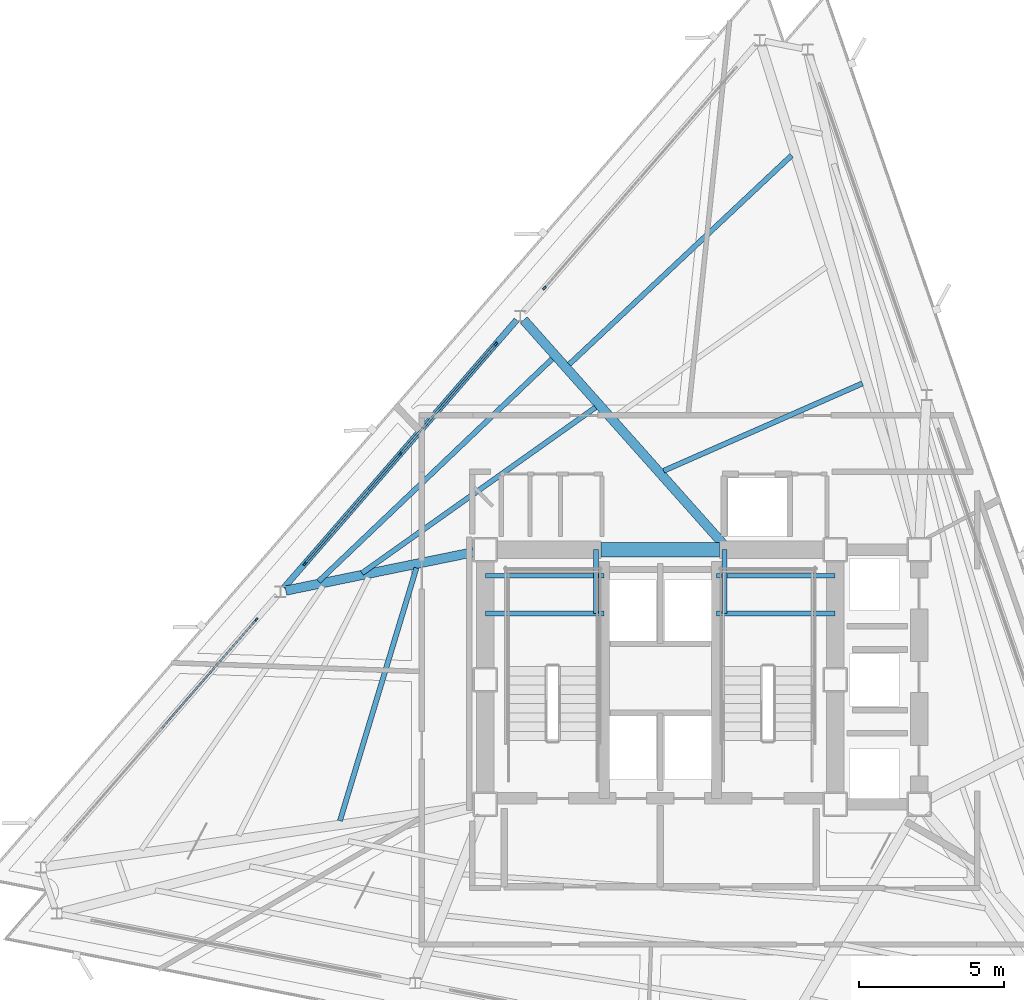
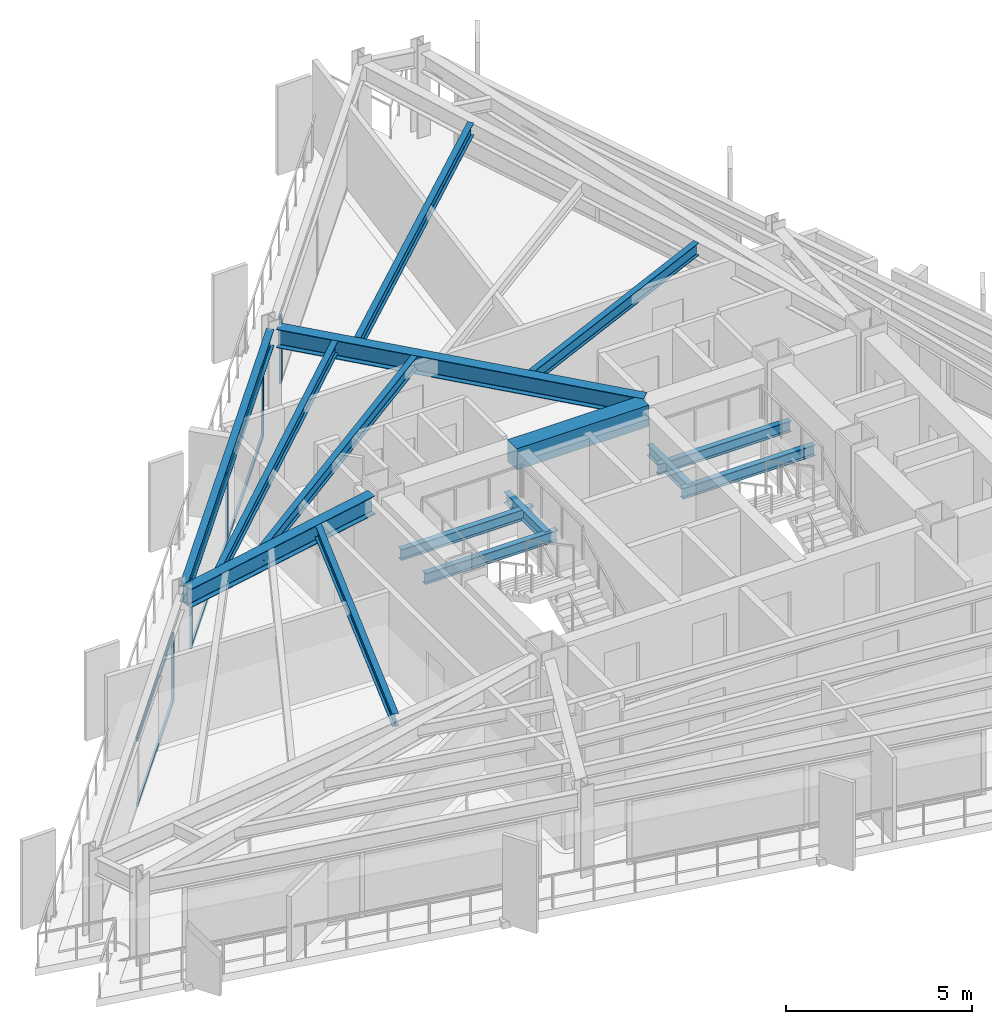
# One storey, part 4 of 13: 15 beams, 11 members, 3 elements without a shape of their own.
"""IFC4 building model written with IfcOpenShell, lengths in metres."""

from ifc_helpers import new_model, si_unit, direction, frame, origin, origin_2d, place, context, subcontext, project, spatial, rectangle, i_section, extrude, material, layer, layer_set, material_profile, profile_set, type_object, element, aggregate, save


model = new_model("IFC4")

# Units and contexts
model_context = context("Model", 3, precision=1e-05, world=origin(), true_north=direction((0.0, 1.0)))
body_context = subcontext(model_context, "Body", "Model", "MODEL_VIEW")
ifc_project = project(units=[si_unit("LENGTHUNIT", "METRE"), si_unit("AREAUNIT", "SQUARE_METRE"), si_unit("VOLUMEUNIT", "CUBIC_METRE"), si_unit("PLANEANGLEUNIT", "RADIAN"), si_unit("MASSUNIT", "GRAM", prefix="KILO")], contexts=[model_context])

# Site, building, storey
site_placement = place(None, origin())
site = spatial("IfcSite", under=ifc_project, at=site_placement, CompositionType="ELEMENT")
building_placement = place(site_placement, origin())
building = spatial("IfcBuilding", under=site, at=building_placement, Name="Rocaltana Carrier Exchange", CompositionType="ELEMENT")
storey_placement = place(building_placement, frame((0.0, 0.0, 162.39990234375)))
storey = spatial("IfcBuildingStorey", under=building, at=storey_placement, Name="L51", CompositionType="ELEMENT", Elevation=162.39990234375)

# Curtain wall, member
ifc_material_1 = material(Name="Aluminium 6063-T6", Category="aluminium")
ifc_layer = layer(ifc_material_1, 0.135009765625)
ifc_layer_set = layer_set([ifc_layer], Name="Aluminium 6063-T6")
curtain_wall_type = type_object("IfcCurtainWallType", Name="Upper-Mid Acoustic Curtain Wall CW-04", PredefinedType="NOTDEFINED", material=ifc_layer_set)
curtain_wall_1_placement = place(storey_placement, origin())
curtain_wall_1 = element("IfcCurtainWall", 1, at=curtain_wall_1_placement, inside=storey, type_object=curtain_wall_type, Name="L51 CW-04 Run CW-L51-F2S1", PredefinedType="NOTDEFINED")
ifc_material_2 = material(Name="Aluminium 6063-T6", Category="aluminium")
ifc_material_profile_1 = material_profile(ifc_material_2, rectangle(XDim=0.06494140625, YDim=0.135009765625, at=origin_2d()), Name="AL-65X135")
ifc_profile_set_1 = profile_set([ifc_material_profile_1], Name="Aluminium 6063-T6")
member_type_1 = type_object("IfcMemberType", Name="CW-04 Mullion AL-65X135", PredefinedType="MULLION", material=ifc_profile_set_1)
member_1_placement = place(storey_placement, frame((-4.005859375, 13.55126953125, 0.0), z_axis=(0.0, 0.0, 1.0), x_axis=(0.75471173919, -0.656056545375, 0.0)))
member_1 = element("IfcMember", 2, at=member_1_placement, type_object=member_type_1, Name="CW-04 mullion 3", PredefinedType="MULLION", context=body_context, shape_type="SweptSolid", body=[
    extrude(rectangle(XDim=0.06494140625, YDim=0.135009765625, at=origin_2d()), origin(), (0.0, 0.0, 1.0), 2.218017578125),
])
aggregate(curtain_wall_1, [member_1])

# Curtain wall, members
curtain_wall_2_placement = place(storey_placement, origin())
curtain_wall_2 = element("IfcCurtainWall", 3, at=curtain_wall_2_placement, inside=storey, type_object=curtain_wall_type, Name="L51 CW-04 Run CW-L51-F2S2", PredefinedType="NOTDEFINED")
member_2_placement = place(storey_placement, frame((-5.688720703125, 11.615478515625, 0.0), z_axis=(0.0, 0.0, 1.0), x_axis=(0.75471173919, -0.656056545375, 0.0)))
member_2 = element("IfcMember", 4, at=member_2_placement, type_object=member_type_1, Name="CW-04 mullion 1", PredefinedType="MULLION", context=body_context, shape_type="SweptSolid", body=[
    extrude(rectangle(XDim=0.06494140625, YDim=0.135009765625, at=origin_2d()), origin(), (0.0, 0.0, 1.0), 2.218017578125),
])
member_3_placement = place(storey_placement, frame((-8.9912109375, 7.816162109375, 0.0), z_axis=(0.0, 0.0, 1.0), x_axis=(0.75471173919, -0.656056545375, 0.0)))
member_3 = element("IfcMember", 5, at=member_3_placement, type_object=member_type_1, Name="CW-04 mullion 2", PredefinedType="MULLION", context=body_context, shape_type="SweptSolid", body=[
    extrude(rectangle(XDim=0.06494140625, YDim=0.135009765625, at=origin_2d()), origin(), (0.0, 0.0, 1.0), 2.218017578125),
])
member_4_placement = place(storey_placement, frame((-12.2939453125, 4.016845703125, 0.0), z_axis=(0.0, 0.0, 1.0), x_axis=(0.75471173919, -0.656056545375, 0.0)))
member_4 = element("IfcMember", 6, at=member_4_placement, type_object=member_type_1, Name="CW-04 mullion 3", PredefinedType="MULLION", context=body_context, shape_type="SweptSolid", body=[
    extrude(rectangle(XDim=0.06494140625, YDim=0.135009765625, at=origin_2d()), origin(), (0.0, 0.0, 1.0), 2.218017578125),
])

# Curtain wall, member
curtain_wall_3_placement = place(storey_placement, origin())
curtain_wall_3 = element("IfcCurtainWall", 7, at=curtain_wall_3_placement, inside=storey, type_object=curtain_wall_type, Name="L51 CW-04 Run CW-L51-F2S3", PredefinedType="NOTDEFINED")
member_5_placement = place(storey_placement, frame((-13.976806640625, 2.080810546875, 0.0), z_axis=(0.0, 0.0, 1.0), x_axis=(0.75471173919, -0.656056545375, 0.0)))
member_5 = element("IfcMember", 8, at=member_5_placement, type_object=member_type_1, Name="CW-04 mullion 1", PredefinedType="MULLION", context=body_context, shape_type="SweptSolid", body=[
    extrude(rectangle(XDim=0.06494140625, YDim=0.135009765625, at=origin_2d()), origin(), (0.0, 0.0, 1.0), 2.218017578125),
])

# Member
ifc_material_3 = material(Name="Aluminium 6063-T6", Category="aluminium")
ifc_material_profile_2 = material_profile(ifc_material_3, rectangle(XDim=0.06494140625, YDim=0.135009765625, at=origin_2d()), Name="AL-65X135")
ifc_profile_set_2 = profile_set([ifc_material_profile_2], Name="Aluminium 6063-T6")
member_type_2 = type_object("IfcMemberType", Name="CW-04 Transom AL-65X135", PredefinedType="USERDEFINED", material=ifc_profile_set_2)
member_6_placement = place(storey_placement, frame((-5.7099609375, 11.5908203125, 0.03271484375), z_axis=(-0.656055850486, -0.754712343243, 0.0), x_axis=(0.754712343243, -0.656055850486, 0.0)))
member_6 = element("IfcMember", 9, at=member_6_placement, type_object=member_type_2, Name="CW-04 transom 1.1", ObjectType="TRANSOM", PredefinedType="USERDEFINED", context=body_context, shape_type="SweptSolid", body=[
    extrude(rectangle(XDim=0.06494140625, YDim=0.135009765625, at=origin_2d()), origin(), (0.0, 0.0, 1.0), 4.968994140625),
])

member_7_placement = place(storey_placement, frame((-5.7099609375, 11.5908203125, 2.185546875), z_axis=(-0.656055850486, -0.754712343243, 0.0), x_axis=(0.754712343243, -0.656055850486, 0.0)))
member_7 = element("IfcMember", 10, at=member_7_placement, type_object=member_type_2, Name="CW-04 transom 1.2", ObjectType="TRANSOM", PredefinedType="USERDEFINED", context=body_context, shape_type="SweptSolid", body=[
    extrude(rectangle(XDim=0.06494140625, YDim=0.135009765625, at=origin_2d()), origin(), (0.0, 0.0, 1.0), 4.968994140625),
])

member_8_placement = place(storey_placement, frame((-9.0126953125, 7.79150390625, 0.03271484375), z_axis=(-0.656055850486, -0.754712343243, 0.0), x_axis=(0.754712343243, -0.656055850486, 0.0)))
member_8 = element("IfcMember", 11, at=member_8_placement, type_object=member_type_2, Name="CW-04 transom 2.1", ObjectType="TRANSOM", PredefinedType="USERDEFINED", context=body_context, shape_type="SweptSolid", body=[
    extrude(rectangle(XDim=0.06494140625, YDim=0.135009765625, at=origin_2d()), origin(), (0.0, 0.0, 1.0), 4.968994140625),
])

member_9_placement = place(storey_placement, frame((-9.0126953125, 7.79150390625, 2.185546875), z_axis=(-0.656055850486, -0.754712343243, 0.0), x_axis=(0.754712343243, -0.656055850486, 0.0)))
member_9 = element("IfcMember", 12, at=member_9_placement, type_object=member_type_2, Name="CW-04 transom 2.2", ObjectType="TRANSOM", PredefinedType="USERDEFINED", context=body_context, shape_type="SweptSolid", body=[
    extrude(rectangle(XDim=0.06494140625, YDim=0.135009765625, at=origin_2d()), origin(), (0.0, 0.0, 1.0), 4.968994140625),
])

aggregate(curtain_wall_2, [member_2, member_3, member_4, member_6, member_7, member_8, member_9])

member_10_placement = place(storey_placement, frame((-13.998046875, 2.056396484375, 0.03271484375), z_axis=(-0.656055850486, -0.754712343243, 0.0), x_axis=(0.754712343243, -0.656055850486, 0.0)))
member_10 = element("IfcMember", 13, at=member_10_placement, type_object=member_type_2, Name="CW-04 transom 1.1", ObjectType="TRANSOM", PredefinedType="USERDEFINED", context=body_context, shape_type="SweptSolid", body=[
    extrude(rectangle(XDim=0.06494140625, YDim=0.135009765625, at=origin_2d()), origin(), (0.0, 0.0, 1.0), 4.968994140625),
])

member_11_placement = place(storey_placement, frame((-13.998046875, 2.056396484375, 2.185546875), z_axis=(-0.656055850486, -0.754712343243, 0.0), x_axis=(0.754712343243, -0.656055850486, 0.0)))
member_11 = element("IfcMember", 14, at=member_11_placement, type_object=member_type_2, Name="CW-04 transom 1.2", ObjectType="TRANSOM", PredefinedType="USERDEFINED", context=body_context, shape_type="SweptSolid", body=[
    extrude(rectangle(XDim=0.06494140625, YDim=0.135009765625, at=origin_2d()), origin(), (0.0, 0.0, 1.0), 4.968994140625),
])

aggregate(curtain_wall_3, [member_5, member_10, member_11])

# Beams
ifc_material_4 = material(Name="Concrete C60/75", Category="concrete")
ifc_material_profile_3 = material_profile(ifc_material_4, rectangle(XDim=0.5, YDim=0.699951171875, at=origin_2d()), Name="RC-BM-500X700")
ifc_profile_set_3 = profile_set([ifc_material_profile_3], Name="Concrete C60/75")
beam_type_1 = type_object("IfcBeamType", Name="Core Coupling Lintel 500x700", PredefinedType="LINTEL", material=ifc_profile_set_3)
beam_1_placement = place(storey_placement, frame((-2.050048828125, 4.5, 2.43798828125), z_axis=(1.0, 0.0, 0.0), x_axis=(0.0, 1.0, 0.0)))
element("IfcBeam", 15, at=beam_1_placement, inside=storey, type_object=beam_type_1, Name="L51 Core Coupling Lintel CL-N", PredefinedType="LINTEL", context=body_context, shape_type="SweptSolid", body=[
    extrude(rectangle(XDim=0.5, YDim=0.699951171875, at=origin_2d()), origin(), (0.0, 0.0, 1.0), 4.10009765625),
])
ifc_material_5 = material(Name="Steel S355", Category="steel")
ifc_material_profile_4 = material_profile(ifc_material_5, i_section(OverallWidth=0.172119140625, OverallDepth=0.35791015625, WebThickness=0.0078125, FlangeThickness=0.01318359375, FilletRadius=0.011962890625, at=origin_2d()), Name="W14X38")
ifc_profile_set_4 = profile_set([ifc_material_profile_4], Name="Steel S355")
beam_type_2 = type_object("IfcBeamType", Name="Floor Joist W14X38", PredefinedType="JOIST", material=ifc_profile_set_4)
for number, where, z_axis, x_axis, name in (
    (16, (-6.050048828125, 2.300048828125, 1.14111328125), (1.0, 0.0, 0.0), (0.0, 1.0, 0.0), "L51 ST-1 Landing Carrier 1"),
    (17, (1.93994140625, 2.300048828125, 1.14111328125), (1.0, 0.0, 0.0), (0.0, 1.0, 0.0), "L51 ST-2 Landing Carrier 1"),
    (18, (-6.050048828125, 3.60009765625, 1.14111328125), (1.0, 0.0, 0.0), (0.0, 1.0, 0.0), "L51 ST-1 Landing Carrier 2"),
    (19, (1.93994140625, 3.60009765625, 1.14111328125), (1.0, 0.0, 0.0), (0.0, 1.0, 0.0), "L51 ST-2 Landing Carrier 2"),
):
    element("IfcBeam", number, at=place(storey_placement, frame(where, z_axis=z_axis, x_axis=x_axis)), inside=storey, type_object=beam_type_2, Name=name, PredefinedType="JOIST", context=body_context, shape_type="SweptSolid", body=[
        extrude(i_section(OverallWidth=0.172119140625, OverallDepth=0.35791015625, WebThickness=0.0078125, FlangeThickness=0.01318359375, FilletRadius=0.011962890625, at=origin_2d()), origin(), (0.0, 0.0, 1.0), 4.110107421875),
    ])
for number, where, z_axis, x_axis, name in (
    (20, (-2.219970703125, 2.300048828125, 1.14111328125), (0.0, 1.0, 0.0), (-1.0, 0.0, 0.0), "L51 ST-1 Landing Cross Trimmer"),
    (21, (2.219970703125, 2.300048828125, 1.14111328125), (0.0, 1.0, 0.0), (-1.0, 0.0, 0.0), "L51 ST-2 Landing Cross Trimmer"),
):
    element("IfcBeam", number, at=place(storey_placement, frame(where, z_axis=z_axis, x_axis=x_axis)), inside=storey, type_object=beam_type_2, Name=name, PredefinedType="JOIST", context=body_context, shape_type="SweptSolid", body=[
        extrude(i_section(OverallWidth=0.172119140625, OverallDepth=0.35791015625, WebThickness=0.0078125, FlangeThickness=0.01318359375, FilletRadius=0.011962890625, at=origin_2d()), origin(), (0.0, 0.0, 1.0), 2.199951171875),
    ])
ifc_material_6 = material(Name="Steel S355", Category="steel")
ifc_material_profile_5 = material_profile(ifc_material_6, i_section(OverallWidth=0.179931640625, OverallDepth=0.4130859375, WebThickness=0.009765625, FlangeThickness=0.01611328125, FilletRadius=0.012939453125, at=origin_2d()), Name="W16X50")
ifc_profile_set_5 = profile_set([ifc_material_profile_5], Name="Steel S355")
beam_type_3 = type_object("IfcBeamType", Name="Floor Joist W16X50", PredefinedType="JOIST", material=ifc_profile_set_5)
beam_2_placement = place(storey_placement, frame((6.9892578125, 10.251220703125, 2.58154296875), z_axis=(-0.915437763767, -0.402459564018, 0.0), x_axis=(0.402459564018, -0.915437763767, 0.0)))
element("IfcBeam", 22, at=beam_2_placement, inside=storey, type_object=beam_type_3, Name="FJ-L51-05-1", PredefinedType="JOIST", context=body_context, shape_type="SweptSolid", body=[
    extrude(i_section(OverallWidth=0.179931640625, OverallDepth=0.4130859375, WebThickness=0.009765625, FlangeThickness=0.01611328125, FilletRadius=0.012939453125, at=origin_2d()), origin(), (0.0, 0.0, 1.0), 7.50634765625),
])
beam_3_placement = place(storey_placement, frame((4.539306640625, 18.135009765625, 2.58154296875), z_axis=(-0.728861369792, -0.684661305774, 0.0), x_axis=(0.684661305774, -0.728861369792, 0.0)))
element("IfcBeam", 23, at=beam_3_placement, inside=storey, type_object=beam_type_3, Name="FJ-L51-05-3", PredefinedType="JOIST", context=body_context, shape_type="SweptSolid", body=[
    extrude(i_section(OverallWidth=0.179931640625, OverallDepth=0.4130859375, WebThickness=0.009765625, FlangeThickness=0.01611328125, FilletRadius=0.012939453125, at=origin_2d()), origin(), (0.0, 0.0, 1.0), 10.550048828125),
])
beam_4_placement = place(storey_placement, frame((-2.239501953125, 9.42138671875, 2.58154296875), z_axis=(-0.815531916739, -0.578712098353, 0.0), x_axis=(0.578712098353, -0.815531916739, 0.0)))
element("IfcBeam", 24, at=beam_4_placement, inside=storey, type_object=beam_type_3, Name="FJ-L51-06-2", PredefinedType="JOIST", context=body_context, shape_type="SweptSolid", body=[
    extrude(i_section(OverallWidth=0.179931640625, OverallDepth=0.4130859375, WebThickness=0.009765625, FlangeThickness=0.01611328125, FilletRadius=0.012939453125, at=origin_2d()), origin(), (0.0, 0.0, 1.0), 9.90283203125),
])
beam_5_placement = place(storey_placement, frame((-3.736572265625, 11.1015625, 2.58154296875), z_axis=(-0.724047932372, -0.689749658665, 0.0), x_axis=(0.689749658665, -0.724047932372, 0.0)))
element("IfcBeam", 25, at=beam_5_placement, inside=storey, type_object=beam_type_3, Name="FJ-L51-06-3", PredefinedType="JOIST", context=body_context, shape_type="SweptSolid", body=[
    extrude(i_section(OverallWidth=0.179931640625, OverallDepth=0.4130859375, WebThickness=0.009765625, FlangeThickness=0.01611328125, FilletRadius=0.012939453125, at=origin_2d()), origin(), (0.0, 0.0, 1.0), 11.161376953125),
])
beam_6_placement = place(storey_placement, frame((-8.433349609375, 3.871826171875, 2.58154296875), z_axis=(-0.289517060533, -0.957172853596, 0.0), x_axis=(0.957172853596, -0.289517060533, 0.0)))
element("IfcBeam", 26, at=beam_6_placement, inside=storey, type_object=beam_type_3, Name="FJ-L51-07-1", PredefinedType="JOIST", context=body_context, shape_type="SweptSolid", body=[
    extrude(i_section(OverallWidth=0.179931640625, OverallDepth=0.4130859375, WebThickness=0.009765625, FlangeThickness=0.01611328125, FilletRadius=0.012939453125, at=origin_2d()), origin(), (0.0, 0.0, 1.0), 9.135009765625),
])
ifc_material_7 = material(Name="Steel S355", Category="steel")
ifc_material_profile_6 = material_profile(ifc_material_7, i_section(OverallWidth=0.323974609375, OverallDepth=0.611083984375, WebThickness=0.0126953125, FlangeThickness=0.01904296875, FilletRadius=0.01611328125, at=origin_2d()), Name="W24X104")
ifc_profile_set_6 = profile_set([ifc_material_profile_6], Name="Steel S355")
beam_type_4 = type_object("IfcBeamType", Name="Radial Girder W24X104", PredefinedType="BEAM", material=ifc_profile_set_6)
beam_7_placement = place(storey_placement, frame((2.189208984375, 4.6806640625, 2.482666015625), z_axis=(-0.664987485629, 0.746854499857, 0.0), x_axis=(-0.746854499857, -0.664987485629, 0.0)))
element("IfcBeam", 27, at=beam_7_placement, inside=storey, type_object=beam_type_4, Name="RG-L51-06", PredefinedType="BEAM", context=body_context, shape_type="SweptSolid", body=[
    extrude(i_section(OverallWidth=0.323974609375, OverallDepth=0.611083984375, WebThickness=0.0126953125, FlangeThickness=0.01904296875, FilletRadius=0.01611328125, at=origin_2d()), origin(), (0.0, 0.0, 1.0), 10.395751953125),
])
beam_8_placement = place(storey_placement, frame((-6.45849609375, 4.416259765625, 2.482666015625), z_axis=(-0.979662319108, -0.200653284349, 0.0), x_axis=(0.200653284349, -0.979662319108, 0.0)))
element("IfcBeam", 28, at=beam_8_placement, inside=storey, type_object=beam_type_4, Name="RG-L51-07", PredefinedType="BEAM", context=body_context, shape_type="SweptSolid", body=[
    extrude(i_section(OverallWidth=0.323974609375, OverallDepth=0.611083984375, WebThickness=0.0126953125, FlangeThickness=0.01904296875, FilletRadius=0.01611328125, at=origin_2d()), origin(), (0.0, 0.0, 1.0), 6.6298828125),
])
ifc_material_8 = material(Name="Steel S355", Category="steel")
ifc_material_profile_7 = material_profile(ifc_material_8, i_section(OverallWidth=0.2119140625, OverallDepth=0.5439453125, WebThickness=0.01318359375, FlangeThickness=0.021240234375, FilletRadius=0.014892578125, at=origin_2d()), Name="W21X83")
ifc_profile_set_7 = profile_set([ifc_material_profile_7], Name="Steel S355")
beam_type_5 = type_object("IfcBeamType", Name="Spandrel Edge Beam W21X83", PredefinedType="SPANDREL", material=ifc_profile_set_7)
beam_9_placement = place(storey_placement, frame((-4.968994140625, 12.443359375, 2.51611328125), z_axis=(-0.656047094668, -0.754719954405, 0.0), x_axis=(0.754719954405, -0.656047094668, 0.0)))
element("IfcBeam", 29, at=beam_9_placement, inside=storey, type_object=beam_type_5, Name="SP-L51-06", PredefinedType="SPANDREL", context=body_context, shape_type="SweptSolid", body=[
    extrude(i_section(OverallWidth=0.2119140625, OverallDepth=0.5439453125, WebThickness=0.01318359375, FlangeThickness=0.021240234375, FilletRadius=0.014892578125, at=origin_2d()), origin(), (0.0, 0.0, 1.0), 12.262451171875),
])

save(model, "model.ifc")
